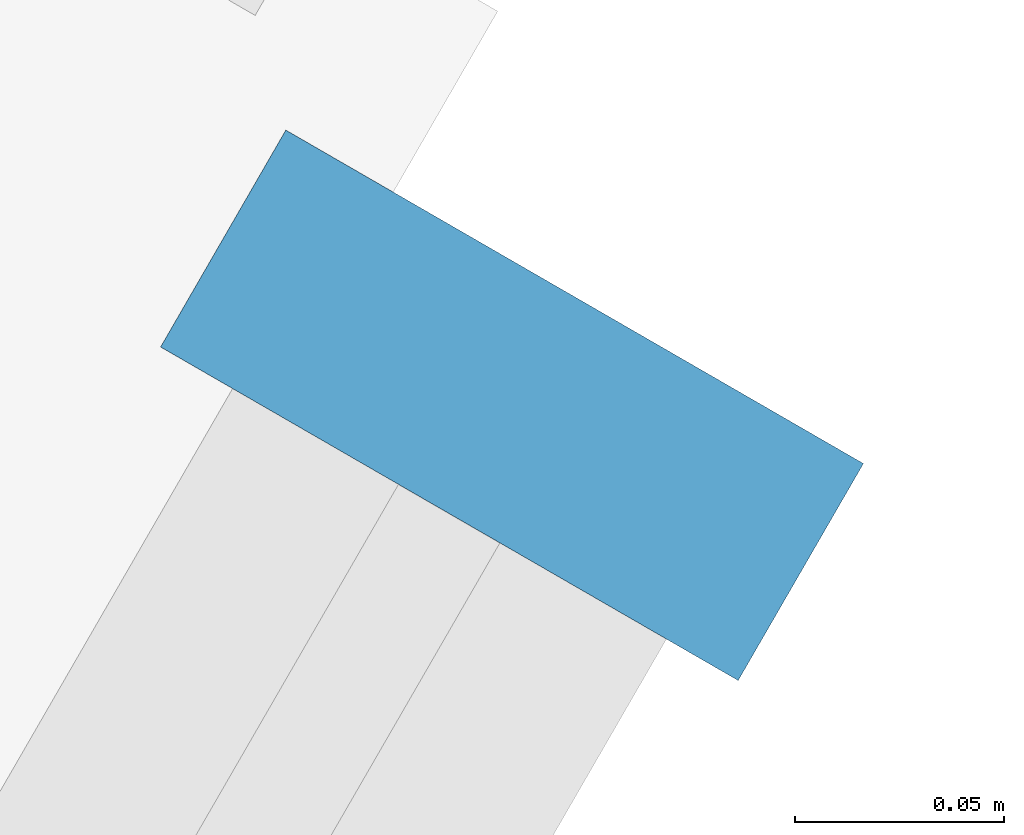
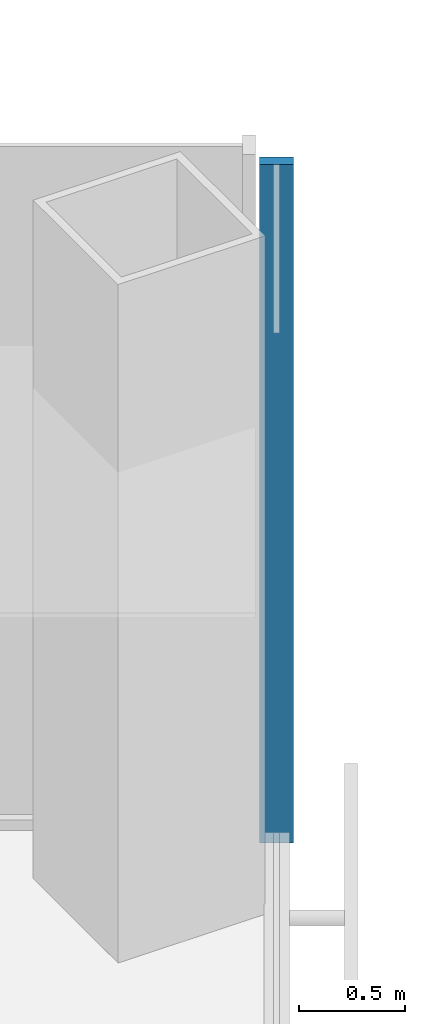
# One storey, part 9 of 18: 1 member, 1 element without a shape of its own.
"""IFC4 building model written with IfcOpenShell, lengths in metres."""

from ifc_helpers import new_model, si_unit, direction, frame, origin, origin_2d, place, context, subcontext, project, spatial, rectangle, extrude, material, material_profile, profile_set, type_object, element, aggregate, save


model = new_model("IFC4")

# Units and contexts
model_context = context("Model", 3, precision=1e-05, world=origin(), true_north=direction((0.0, 1.0)))
body_context = subcontext(model_context, "Body", "Model", "MODEL_VIEW")
ifc_project = project(units=[si_unit("LENGTHUNIT", "METRE"), si_unit("AREAUNIT", "SQUARE_METRE"), si_unit("VOLUMEUNIT", "CUBIC_METRE"), si_unit("PLANEANGLEUNIT", "RADIAN"), si_unit("MASSUNIT", "GRAM", prefix="KILO")], contexts=[model_context])

# Site, building, storey
site_placement = place(None, origin())
site = spatial("IfcSite", under=ifc_project, at=site_placement, CompositionType="ELEMENT")
building_placement = place(site_placement, origin())
building = spatial("IfcBuilding", under=site, at=building_placement, Name="Kasaneha Research Tower", CompositionType="ELEMENT")
storey_placement = place(building_placement, frame((0.0, 0.0, 111.89990234375)))
storey = spatial("IfcBuildingStorey", under=building, at=storey_placement, Name="L28", CompositionType="ELEMENT", Elevation=111.89990234375)

# Curtain wall, member
ifc_material_1 = material(Name="Glass and aluminium", Category="aluminium")
curtain_wall_type = type_object("IfcCurtainWallType", Name="Low-rise office curtain wall", PredefinedType="USERDEFINED", material=ifc_material_1)
curtain_wall_placement = place(storey_placement, origin())
curtain_wall = element("IfcCurtainWall", 1, at=curtain_wall_placement, inside=storey, type_object=curtain_wall_type, Name="CW-O1 L28 run 05a", ObjectType="UNITISED CURTAIN WALL", PredefinedType="USERDEFINED")
ifc_material_2 = material(Name="Aluminium 6063-T6", Category="aluminium")
ifc_material_profile = material_profile(ifc_material_2, rectangle(XDim=0.06005859375, YDim=0.159912109375, at=origin_2d()), Name="CW-O1 mullion 60x160")
ifc_profile_set = profile_set([ifc_material_profile], Name="Aluminium 6063-T6")
member_type = type_object("IfcMemberType", Name="CW-O1 mullion", PredefinedType="MULLION", material=ifc_profile_set)
member_placement = place(storey_placement, frame((32.012939453125, -6.39306640625, 0.0), z_axis=(0.0, 0.0, 1.0), x_axis=(0.500000011442, 0.866025397178, 0.0)))
member = element("IfcMember", 2, at=member_placement, type_object=member_type, Name="CW-O1 mullion 4", PredefinedType="MULLION", context=body_context, shape_type="SweptSolid", body=[
    extrude(rectangle(XDim=0.06005859375, YDim=0.159912109375, at=origin_2d()), origin(), (0.0, 0.0, 1.0), 3.900146484375),
])
aggregate(curtain_wall, [member])

save(model, "model.ifc")
